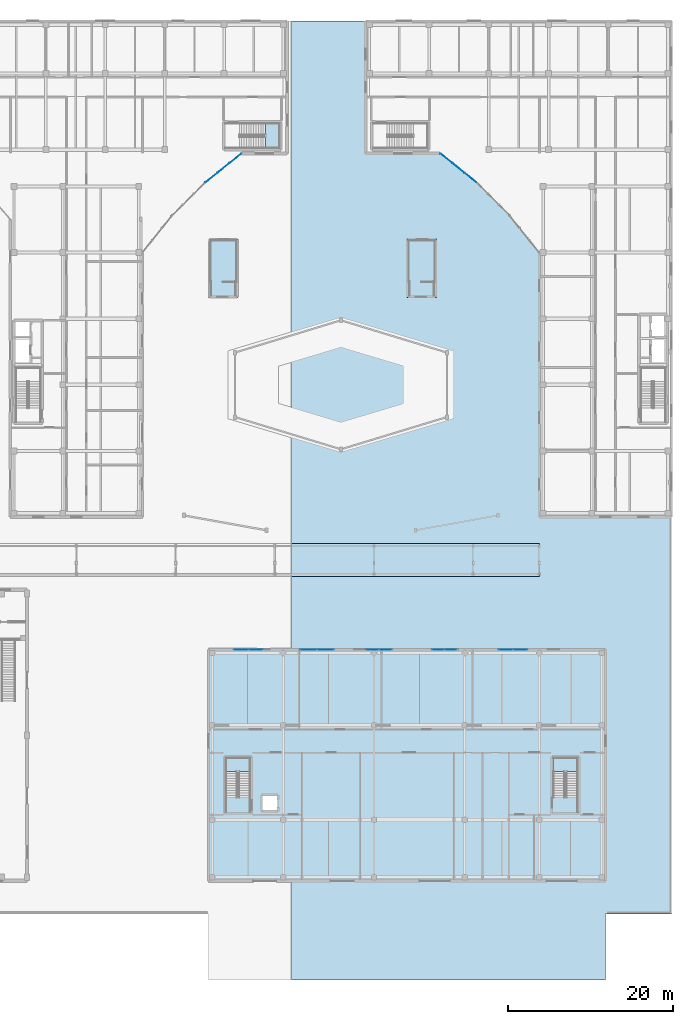
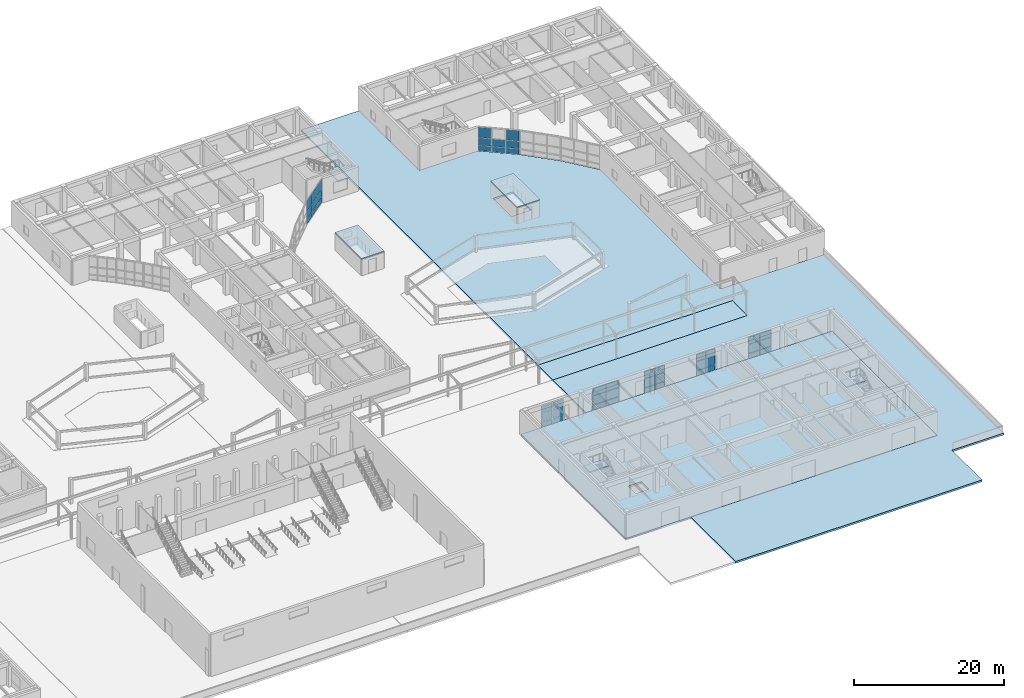
# One storey, part 66 of 114: 47 plates, 8 slabs, 10 elements without a shape of their own.
"""IFC4 building model written with IfcOpenShell, lengths in metres."""

from ifc_helpers import new_model, si_unit, direction, frame, origin, origin_2d, place, context, subcontext, project, spatial, polyline, rectangle, outline, extrude, material, layer, layer_set, type_object, element, aggregate, save


model = new_model("IFC4")

# Units and contexts
model_context = context("Model", 3, precision=1e-05, world=origin(), true_north=direction((0.0, 1.0)))
body_context = subcontext(model_context, "Body", "Model", "MODEL_VIEW")
ifc_project = project(units=[si_unit("LENGTHUNIT", "METRE"), si_unit("AREAUNIT", "SQUARE_METRE"), si_unit("VOLUMEUNIT", "CUBIC_METRE"), si_unit("PLANEANGLEUNIT", "RADIAN"), si_unit("MASSUNIT", "GRAM", prefix="KILO")], contexts=[model_context])

# Site, building, storey
site_placement = place(None, origin())
site = spatial("IfcSite", under=ifc_project, at=site_placement, CompositionType="ELEMENT")
building_placement = place(site_placement, origin())
building = spatial("IfcBuilding", under=site, at=building_placement, Name="Keldmere Railside Commons", CompositionType="ELEMENT")
storey_placement = place(building_placement, origin())
storey = spatial("IfcBuildingStorey", under=building, at=storey_placement, Name="L00", CompositionType="ELEMENT", Elevation=0.0)

# Curtain wall, plates
ifc_material_1 = material(Name="Thermally Broken Aluminium", Category="aluminium")
ifc_layer_1 = layer(ifc_material_1, 0.159912109375, Name="Residential Lounge Frontage CW 4600x3600")
ifc_layer_set_1 = layer_set([ifc_layer_1], Name="Thermally Broken Aluminium")
curtain_wall_type_1 = type_object("IfcCurtainWallType", Name="Residential Lounge Frontage CW 4600x3600", PredefinedType="NOTDEFINED", material=ifc_layer_set_1)
curtain_wall_1_placement = place(storey_placement, origin())
curtain_wall_1 = element("IfcCurtainWall", 1, at=curtain_wall_1_placement, inside=storey, type_object=curtain_wall_type_1, Name="CW-11 CW-L00-157", PredefinedType="NOTDEFINED")
ifc_material_2 = material(Name="Low-E Insulated Double Glazing", Category="glass")
ifc_layer_2 = layer(ifc_material_2, 0.033935546875, Name="Acoustic Laminated Vision Panel 34")
ifc_layer_set_2 = layer_set([ifc_layer_2], Name="Low-E Insulated Double Glazing")
plate_type_1 = type_object("IfcPlateType", Name="Acoustic Laminated Vision Panel 34", PredefinedType="CURTAIN_PANEL", material=ifc_layer_set_2)
plate_1_placement = place(storey_placement, frame((159.678955078125, 97.048583984375, 0.06494140625), z_axis=(0.0, 0.0, 1.0), x_axis=(-0.780009172323, 0.625768080915, 0.0)))
plate_1 = element("IfcPlate", 2, at=plate_1_placement, type_object=plate_type_1, Name="CW-11 panel 1.1", PredefinedType="CURTAIN_PANEL", context=body_context, shape_type="SweptSolid", body=[
    extrude(rectangle(XDim=1.795654296875, YDim=0.033935546875, at=origin_2d()), origin(), (0.0, 0.0, 1.0), 0.802490234375),
])
plate_2_placement = place(storey_placement, frame((159.678955078125, 97.048583984375, 0.932373046875), z_axis=(0.0, 0.0, 1.0), x_axis=(-0.780009172323, 0.625768080915, 0.0)))
plate_2 = element("IfcPlate", 3, at=plate_2_placement, type_object=plate_type_1, Name="CW-11 panel 1.2", PredefinedType="CURTAIN_PANEL", context=body_context, shape_type="SweptSolid", body=[
    extrude(rectangle(XDim=1.795654296875, YDim=0.033935546875, at=origin_2d()), origin(), (0.0, 0.0, 1.0), 1.18505859375),
])
plate_3_placement = place(storey_placement, frame((159.678955078125, 97.048583984375, 2.1826171875), z_axis=(0.0, 0.0, 1.0), x_axis=(-0.780009172323, 0.625768080915, 0.0)))
plate_3 = element("IfcPlate", 4, at=plate_3_placement, type_object=plate_type_1, Name="CW-11 panel 1.3", PredefinedType="CURTAIN_PANEL", context=body_context, shape_type="SweptSolid", body=[
    extrude(rectangle(XDim=1.795654296875, YDim=0.033935546875, at=origin_2d()), origin(), (0.0, 0.0, 1.0), 1.6923828125),
])
plate_4_placement = place(storey_placement, frame((158.215087890625, 98.222900390625, 0.06494140625), z_axis=(0.0, 0.0, 1.0), x_axis=(-0.780009172323, 0.625768080915, 0.0)))
plate_4 = element("IfcPlate", 5, at=plate_4_placement, type_object=plate_type_1, Name="CW-11 panel 2.1", PredefinedType="CURTAIN_PANEL", context=body_context, shape_type="SweptSolid", body=[
    extrude(rectangle(XDim=1.828125, YDim=0.033935546875, at=origin_2d()), origin(), (0.0, 0.0, 1.0), 0.802490234375),
])
plate_5_placement = place(storey_placement, frame((158.215087890625, 98.222900390625, 0.932373046875), z_axis=(0.0, 0.0, 1.0), x_axis=(-0.780009172323, 0.625768080915, 0.0)))
plate_5 = element("IfcPlate", 6, at=plate_5_placement, type_object=plate_type_1, Name="CW-11 panel 2.2", PredefinedType="CURTAIN_PANEL", context=body_context, shape_type="SweptSolid", body=[
    extrude(rectangle(XDim=1.828125, YDim=0.033935546875, at=origin_2d()), origin(), (0.0, 0.0, 1.0), 1.18505859375),
])
plate_6_placement = place(storey_placement, frame((156.7509765625, 99.3974609375, 0.06494140625), z_axis=(0.0, 0.0, 1.0), x_axis=(-0.780009172323, 0.625768080915, 0.0)))
plate_6 = element("IfcPlate", 7, at=plate_6_placement, type_object=plate_type_1, Name="CW-11 panel 3.1", PredefinedType="CURTAIN_PANEL", context=body_context, shape_type="SweptSolid", body=[
    extrude(rectangle(XDim=1.795654296875, YDim=0.033935546875, at=origin_2d()), origin(), (0.0, 0.0, 1.0), 0.802490234375),
])
plate_7_placement = place(storey_placement, frame((156.7509765625, 99.3974609375, 0.932373046875), z_axis=(0.0, 0.0, 1.0), x_axis=(-0.780009172323, 0.625768080915, 0.0)))
plate_7 = element("IfcPlate", 8, at=plate_7_placement, type_object=plate_type_1, Name="CW-11 panel 3.2", PredefinedType="CURTAIN_PANEL", context=body_context, shape_type="SweptSolid", body=[
    extrude(rectangle(XDim=1.795654296875, YDim=0.033935546875, at=origin_2d()), origin(), (0.0, 0.0, 1.0), 1.18505859375),
])
plate_8_placement = place(storey_placement, frame((156.7509765625, 99.3974609375, 2.1826171875), z_axis=(0.0, 0.0, 1.0), x_axis=(-0.780009172323, 0.625768080915, 0.0)))
plate_8 = element("IfcPlate", 9, at=plate_8_placement, type_object=plate_type_1, Name="CW-11 panel 3.3", PredefinedType="CURTAIN_PANEL", context=body_context, shape_type="SweptSolid", body=[
    extrude(rectangle(XDim=1.795654296875, YDim=0.033935546875, at=origin_2d()), origin(), (0.0, 0.0, 1.0), 1.6923828125),
])
aggregate(curtain_wall_1, [plate_1, plate_2, plate_3, plate_4, plate_5, plate_6, plate_7, plate_8])

ifc_layer_3 = layer(ifc_material_1, 0.159912109375, Name="Market Arcade Corner Shopfront CW 4200x3600")
ifc_layer_set_3 = layer_set([ifc_layer_3], Name="Thermally Broken Aluminium")
curtain_wall_type_2 = type_object("IfcCurtainWallType", Name="Market Arcade Corner Shopfront CW 4200x3600", PredefinedType="NOTDEFINED", material=ifc_layer_set_3)
curtain_wall_2_placement = place(storey_placement, origin())
curtain_wall_2 = element("IfcCurtainWall", 10, at=curtain_wall_2_placement, inside=storey, type_object=curtain_wall_type_2, Name="CW-02 CW-L00-214", PredefinedType="NOTDEFINED")
plate_9_placement = place(storey_placement, frame((140.066162109375, 39.949951171875, 0.06494140625), z_axis=(0.0, 0.0, 1.0), x_axis=(1.0, 0.0, 0.0)))
plate_9 = element("IfcPlate", 11, at=plate_9_placement, type_object=plate_type_1, Name="CW-02 panel 1.1", PredefinedType="CURTAIN_PANEL", context=body_context, shape_type="SweptSolid", body=[
    extrude(rectangle(XDim=2.00244140625, YDim=0.033935546875, at=origin_2d()), origin(), (0.0, 0.0, 1.0), 0.802490234375),
])
plate_10_placement = place(storey_placement, frame((140.066162109375, 39.949951171875, 0.932373046875), z_axis=(0.0, 0.0, 1.0), x_axis=(1.0, 0.0, 0.0)))
plate_10 = element("IfcPlate", 12, at=plate_10_placement, type_object=plate_type_1, Name="CW-02 panel 1.2", PredefinedType="CURTAIN_PANEL", context=body_context, shape_type="SweptSolid", body=[
    extrude(rectangle(XDim=2.00244140625, YDim=0.033935546875, at=origin_2d()), origin(), (0.0, 0.0, 1.0), 1.43505859375),
])
plate_11_placement = place(storey_placement, frame((140.066162109375, 39.949951171875, 2.432373046875), z_axis=(0.0, 0.0, 1.0), x_axis=(1.0, 0.0, 0.0)))
plate_11 = element("IfcPlate", 13, at=plate_11_placement, type_object=plate_type_1, Name="CW-02 panel 1.3", PredefinedType="CURTAIN_PANEL", context=body_context, shape_type="SweptSolid", body=[
    extrude(rectangle(XDim=2.00244140625, YDim=0.033935546875, at=origin_2d()), origin(), (0.0, 0.0, 1.0), 1.1025390625),
])
plate_12_placement = place(storey_placement, frame((142.1337890625, 39.949951171875, 0.06494140625), z_axis=(0.0, 0.0, 1.0), x_axis=(1.0, 0.0, 0.0)))
plate_12 = element("IfcPlate", 14, at=plate_12_placement, type_object=plate_type_1, Name="CW-02 panel 2.1", PredefinedType="CURTAIN_PANEL", context=body_context, shape_type="SweptSolid", body=[
    extrude(rectangle(XDim=2.00244140625, YDim=0.033935546875, at=origin_2d()), origin(), (0.0, 0.0, 1.0), 0.802490234375),
])
plate_13_placement = place(storey_placement, frame((142.1337890625, 39.949951171875, 0.932373046875), z_axis=(0.0, 0.0, 1.0), x_axis=(1.0, 0.0, 0.0)))
plate_13 = element("IfcPlate", 15, at=plate_13_placement, type_object=plate_type_1, Name="CW-02 panel 2.2", PredefinedType="CURTAIN_PANEL", context=body_context, shape_type="SweptSolid", body=[
    extrude(rectangle(XDim=2.00244140625, YDim=0.033935546875, at=origin_2d()), origin(), (0.0, 0.0, 1.0), 1.43505859375),
])
plate_14_placement = place(storey_placement, frame((142.1337890625, 39.949951171875, 2.432373046875), z_axis=(0.0, 0.0, 1.0), x_axis=(1.0, 0.0, 0.0)))
plate_14 = element("IfcPlate", 16, at=plate_14_placement, type_object=plate_type_1, Name="CW-02 panel 2.3", PredefinedType="CURTAIN_PANEL", context=body_context, shape_type="SweptSolid", body=[
    extrude(rectangle(XDim=2.00244140625, YDim=0.033935546875, at=origin_2d()), origin(), (0.0, 0.0, 1.0), 1.1025390625),
])
aggregate(curtain_wall_2, [plate_9, plate_10, plate_11, plate_12, plate_13, plate_14])

ifc_layer_4 = layer(ifc_material_1, 0.159912109375, Name="Market Arcade Portal Shopfront CW 3600x3600")
ifc_layer_set_4 = layer_set([ifc_layer_4], Name="Thermally Broken Aluminium")
curtain_wall_type_3 = type_object("IfcCurtainWallType", Name="Market Arcade Portal Shopfront CW 3600x3600", PredefinedType="NOTDEFINED", material=ifc_layer_set_4)
curtain_wall_3_placement = place(storey_placement, origin())
curtain_wall_3 = element("IfcCurtainWall", 17, at=curtain_wall_3_placement, inside=storey, type_object=curtain_wall_type_3, Name="CW-01 CW-L00-217", PredefinedType="NOTDEFINED")
plate_15_placement = place(storey_placement, frame((163.916259765625, 39.949951171875, 0.06494140625), z_axis=(0.0, 0.0, 1.0), x_axis=(1.0, 0.0, 0.0)))
plate_15 = element("IfcPlate", 18, at=plate_15_placement, type_object=plate_type_1, Name="CW-01 panel 1.1", PredefinedType="CURTAIN_PANEL", context=body_context, shape_type="SweptSolid", body=[
    extrude(rectangle(XDim=1.702392578125, YDim=0.033935546875, at=origin_2d()), origin(), (0.0, 0.0, 1.0), 0.802490234375),
])
plate_16_placement = place(storey_placement, frame((163.916259765625, 39.949951171875, 0.932373046875), z_axis=(0.0, 0.0, 1.0), x_axis=(1.0, 0.0, 0.0)))
plate_16 = element("IfcPlate", 19, at=plate_16_placement, type_object=plate_type_1, Name="CW-01 panel 1.2", PredefinedType="CURTAIN_PANEL", context=body_context, shape_type="SweptSolid", body=[
    extrude(rectangle(XDim=1.702392578125, YDim=0.033935546875, at=origin_2d()), origin(), (0.0, 0.0, 1.0), 1.43505859375),
])
plate_17_placement = place(storey_placement, frame((163.916259765625, 39.949951171875, 2.432373046875), z_axis=(0.0, 0.0, 1.0), x_axis=(1.0, 0.0, 0.0)))
plate_17 = element("IfcPlate", 20, at=plate_17_placement, type_object=plate_type_1, Name="CW-01 panel 1.3", PredefinedType="CURTAIN_PANEL", context=body_context, shape_type="SweptSolid", body=[
    extrude(rectangle(XDim=1.702392578125, YDim=0.033935546875, at=origin_2d()), origin(), (0.0, 0.0, 1.0), 1.1025390625),
])
plate_18_placement = place(storey_placement, frame((165.683837890625, 39.949951171875, 0.06494140625), z_axis=(0.0, 0.0, 1.0), x_axis=(1.0, 0.0, 0.0)))
plate_18 = element("IfcPlate", 21, at=plate_18_placement, type_object=plate_type_1, Name="CW-01 panel 2.1", PredefinedType="CURTAIN_PANEL", context=body_context, shape_type="SweptSolid", body=[
    extrude(rectangle(XDim=1.702392578125, YDim=0.033935546875, at=origin_2d()), origin(), (0.0, 0.0, 1.0), 0.802490234375),
])
plate_19_placement = place(storey_placement, frame((165.683837890625, 39.949951171875, 0.932373046875), z_axis=(0.0, 0.0, 1.0), x_axis=(1.0, 0.0, 0.0)))
plate_19 = element("IfcPlate", 22, at=plate_19_placement, type_object=plate_type_1, Name="CW-01 panel 2.2", PredefinedType="CURTAIN_PANEL", context=body_context, shape_type="SweptSolid", body=[
    extrude(rectangle(XDim=1.702392578125, YDim=0.033935546875, at=origin_2d()), origin(), (0.0, 0.0, 1.0), 1.43505859375),
])
plate_20_placement = place(storey_placement, frame((165.683837890625, 39.949951171875, 2.432373046875), z_axis=(0.0, 0.0, 1.0), x_axis=(1.0, 0.0, 0.0)))
plate_20 = element("IfcPlate", 23, at=plate_20_placement, type_object=plate_type_1, Name="CW-01 panel 2.3", PredefinedType="CURTAIN_PANEL", context=body_context, shape_type="SweptSolid", body=[
    extrude(rectangle(XDim=1.702392578125, YDim=0.033935546875, at=origin_2d()), origin(), (0.0, 0.0, 1.0), 1.1025390625),
])
aggregate(curtain_wall_3, [plate_15, plate_16, plate_17, plate_18, plate_19, plate_20])

# Slabs
ifc_material_3 = material(Name="Concrete H-35 (C35/45)", Category="concrete")
ifc_layer_5 = layer(ifc_material_3, 0.14990234375, Name="Canopy & Headhouse Roof Slab 150")
ifc_layer_set_5 = layer_set([ifc_layer_5], Name="Concrete H-35 (C35/45)")
slab_type_1 = type_object("IfcSlabType", Name="Canopy & Headhouse Roof Slab 150", PredefinedType="ROOF", material=ifc_layer_set_5)
slab_1_placement = place(storey_placement, frame((0.0, 0.0, 2.64990234375)))
element("IfcSlab", 24, at=slab_1_placement, inside=storey, type_object=slab_type_1, Name="RT-3 ST-B5 Pavilion Roof", PredefinedType="ROOF", context=body_context, shape_type="SweptSolid", body=[
    extrude(outline(polyline([(128.0, 82.550048828125), (131.550048828125, 82.550048828125), (131.550048828125, 89.64990234375), (128.0, 89.64990234375), (128.0, 82.550048828125)])), origin(), (0.0, 0.0, 1.0), 0.150146484375),
])
slab_2_placement = place(storey_placement, frame((0.0, 0.0, 2.64990234375)))
element("IfcSlab", 25, at=slab_2_placement, inside=storey, type_object=slab_type_1, Name="RT-3 ST-B6 Pavilion Roof", PredefinedType="ROOF", context=body_context, shape_type="SweptSolid", body=[
    extrude(outline(polyline([(152.0, 82.550048828125), (155.550048828125, 82.550048828125), (155.550048828125, 89.64990234375), (152.0, 89.64990234375), (152.0, 82.550048828125)])), origin(), (0.0, 0.0, 1.0), 0.150146484375),
])

# Stair, slab
ifc_material_4 = material(Name="Concrete H-30 (C30/37)", Category="concrete")
stair_type_1 = type_object("IfcStairType", Name="Market Arcade Ground Dogleg Stair 1420", PredefinedType="HALF_TURN_STAIR", material=ifc_material_4)
stair_1_placement = place(storey_placement, origin())
stair_1 = element("IfcStair", 26, at=stair_1_placement, inside=storey, type_object=stair_type_1, Name="L00 Market Arcade Escape Stair ST-M1", PredefinedType="HALF_TURN_STAIR")
ifc_layer_6 = layer(ifc_material_4, 0.2099609375, Name="Civic Stair Landing Slab 210")
ifc_layer_set_6 = layer_set([ifc_layer_6], Name="Concrete H-30 (C30/37)")
slab_type_2 = type_object("IfcSlabType", Name="Civic Stair Landing Slab 210", PredefinedType="LANDING", material=ifc_layer_set_6)
slab_3_placement = place(storey_placement, frame((0.0, 0.0, 1.8798828125)))
slab_3 = element("IfcSlab", 27, at=slab_3_placement, type_object=slab_type_2, Name="ST-M1 landing 1", PredefinedType="LANDING", context=body_context, shape_type="SweptSolid", body=[
    extrude(outline(polyline([(133.050048828125, 25.239990234375), (133.050048828125, 26.89990234375), (130.06005859375, 26.89990234375), (130.06005859375, 25.239990234375), (133.050048828125, 25.239990234375)])), origin(), (0.0, 0.0, 1.0), 0.2001953125),
])
aggregate(stair_1, [slab_3])

stair_2_placement = place(storey_placement, origin())
stair_2 = element("IfcStair", 28, at=stair_2_placement, inside=storey, type_object=stair_type_1, Name="L00 Market Arcade Escape Stair ST-M2", PredefinedType="HALF_TURN_STAIR")
slab_4_placement = place(storey_placement, frame((0.0, 0.0, 1.8798828125)))
slab_4 = element("IfcSlab", 29, at=slab_4_placement, type_object=slab_type_2, Name="ST-M2 landing 1", PredefinedType="LANDING", context=body_context, shape_type="SweptSolid", body=[
    extrude(outline(polyline([(172.64990234375, 25.239990234375), (172.64990234375, 26.89990234375), (169.659912109375, 26.89990234375), (169.659912109375, 25.239990234375), (172.64990234375, 25.239990234375)])), origin(), (0.0, 0.0, 1.0), 0.2001953125),
])
aggregate(stair_2, [slab_4])

# Curtain wall, plates
ifc_layer_7 = layer(ifc_material_1, 0.159912109375, Name="Street Retail Shopfront CW 3200x3600")
ifc_layer_set_7 = layer_set([ifc_layer_7], Name="Thermally Broken Aluminium")
curtain_wall_type_4 = type_object("IfcCurtainWallType", Name="Street Retail Shopfront CW 3200x3600", PredefinedType="NOTDEFINED", material=ifc_layer_set_7)
curtain_wall_4_placement = place(storey_placement, origin())
curtain_wall_4 = element("IfcCurtainWall", 30, at=curtain_wall_4_placement, inside=storey, type_object=curtain_wall_type_4, Name="CW-16 CW-L00-215", PredefinedType="NOTDEFINED")
ifc_layer_8 = layer(ifc_material_2, 0.031982421875, Name="Clerestory Solar-Control Vision Panel 32")
ifc_layer_set_8 = layer_set([ifc_layer_8], Name="Low-E Insulated Double Glazing")
plate_type_2 = type_object("IfcPlateType", Name="Clerestory Solar-Control Vision Panel 32", PredefinedType="CURTAIN_PANEL", material=ifc_layer_set_8)
plate_21_placement = place(storey_placement, frame((147.816162109375, 39.949951171875, 0.06494140625), z_axis=(0.0, 0.0, 1.0), x_axis=(1.0, 0.0, 0.0)))
plate_21 = element("IfcPlate", 31, at=plate_21_placement, type_object=plate_type_2, Name="CW-16 panel 1.1", PredefinedType="CURTAIN_PANEL", context=body_context, shape_type="SweptSolid", body=[
    extrude(rectangle(XDim=1.50244140625, YDim=0.031982421875, at=origin_2d()), origin(), (0.0, 0.0, 1.0), 0.802490234375),
])
plate_22_placement = place(storey_placement, frame((147.816162109375, 39.949951171875, 0.932373046875), z_axis=(0.0, 0.0, 1.0), x_axis=(1.0, 0.0, 0.0)))
plate_22 = element("IfcPlate", 32, at=plate_22_placement, type_object=plate_type_2, Name="CW-16 panel 1.2", PredefinedType="CURTAIN_PANEL", context=body_context, shape_type="SweptSolid", body=[
    extrude(rectangle(XDim=1.50244140625, YDim=0.031982421875, at=origin_2d()), origin(), (0.0, 0.0, 1.0), 1.43505859375),
])
plate_23_placement = place(storey_placement, frame((147.816162109375, 39.949951171875, 2.432373046875), z_axis=(0.0, 0.0, 1.0), x_axis=(1.0, 0.0, 0.0)))
plate_23 = element("IfcPlate", 33, at=plate_23_placement, type_object=plate_type_2, Name="CW-16 panel 1.3", PredefinedType="CURTAIN_PANEL", context=body_context, shape_type="SweptSolid", body=[
    extrude(rectangle(XDim=1.50244140625, YDim=0.031982421875, at=origin_2d()), origin(), (0.0, 0.0, 1.0), 1.1025390625),
])
plate_24_placement = place(storey_placement, frame((149.3837890625, 39.949951171875, 0.06494140625), z_axis=(0.0, 0.0, 1.0), x_axis=(1.0, 0.0, 0.0)))
plate_24 = element("IfcPlate", 34, at=plate_24_placement, type_object=plate_type_2, Name="CW-16 panel 2.1", PredefinedType="CURTAIN_PANEL", context=body_context, shape_type="SweptSolid", body=[
    extrude(rectangle(XDim=1.50244140625, YDim=0.031982421875, at=origin_2d()), origin(), (0.0, 0.0, 1.0), 0.802490234375),
])
plate_25_placement = place(storey_placement, frame((149.3837890625, 39.949951171875, 0.932373046875), z_axis=(0.0, 0.0, 1.0), x_axis=(1.0, 0.0, 0.0)))
plate_25 = element("IfcPlate", 35, at=plate_25_placement, type_object=plate_type_2, Name="CW-16 panel 2.2", PredefinedType="CURTAIN_PANEL", context=body_context, shape_type="SweptSolid", body=[
    extrude(rectangle(XDim=1.50244140625, YDim=0.031982421875, at=origin_2d()), origin(), (0.0, 0.0, 1.0), 1.43505859375),
])
plate_26_placement = place(storey_placement, frame((149.3837890625, 39.949951171875, 2.432373046875), z_axis=(0.0, 0.0, 1.0), x_axis=(1.0, 0.0, 0.0)))
plate_26 = element("IfcPlate", 36, at=plate_26_placement, type_object=plate_type_2, Name="CW-16 panel 2.3", PredefinedType="CURTAIN_PANEL", context=body_context, shape_type="SweptSolid", body=[
    extrude(rectangle(XDim=1.50244140625, YDim=0.031982421875, at=origin_2d()), origin(), (0.0, 0.0, 1.0), 1.1025390625),
])
aggregate(curtain_wall_4, [plate_21, plate_22, plate_23, plate_24, plate_25, plate_26])

# Slab
ifc_layer_9 = layer(ifc_material_3, 0.239990234375, Name="Covered Colonnade Walkway Deck 240")
ifc_layer_set_9 = layer_set([ifc_layer_9], Name="Concrete H-35 (C35/45)")
slab_type_3 = type_object("IfcSlabType", Name="Covered Colonnade Walkway Deck 240", PredefinedType="FLOOR", material=ifc_layer_set_9)
slab_5_placement = place(storey_placement, frame((0.0, 0.0, -0.239990234375)))
element("IfcSlab", 37, at=slab_5_placement, inside=storey, type_object=slab_type_3, Name="PD-2 COLDECK-L00-084", PredefinedType="FLOOR", context=body_context, shape_type="SweptSolid", body=[
    extrude(outline(polyline([(168.0, 52.800048828125), (138.030029296875, 52.800048828125), (138.030029296875, 48.800048828125), (168.0, 48.800048828125), (168.0, 52.800048828125)])), origin(), (0.0, 0.0, 1.0), 0.239990234375),
])

# Stair, slab
stair_type_2 = type_object("IfcStairType", Name="Basement Garage Dogleg Escape Stair 1450", PredefinedType="HALF_TURN_STAIR", material=ifc_material_4)
stair_3_placement = place(storey_placement, origin())
stair_3 = element("IfcStair", 38, at=stair_3_placement, inside=storey, type_object=stair_type_2, Name="L00 Block B Secondary Escape Stair 2", PredefinedType="HALF_TURN_STAIR")
ifc_layer_10 = layer(ifc_material_4, 0.199951171875, Name="Enclosed Stair Landing Slab 200")
ifc_layer_set_10 = layer_set([ifc_layer_10], Name="Concrete H-30 (C30/37)")
slab_type_4 = type_object("IfcSlabType", Name="Enclosed Stair Landing Slab 200", PredefinedType="LANDING", material=ifc_layer_set_10)
slab_6_placement = place(storey_placement, frame((0.0, 0.0, 1.8798828125)))
slab_6 = element("IfcSlab", 39, at=slab_6_placement, type_object=slab_type_4, Name="ST-B2 landing 1", PredefinedType="LANDING", context=body_context, shape_type="SweptSolid", body=[
    extrude(outline(polyline([(134.889892578125, 100.60009765625), (136.60009765625, 100.60009765625), (136.60009765625, 103.64990234375), (134.889892578125, 103.64990234375), (134.889892578125, 100.60009765625)])), origin(), (0.0, 0.0, 1.0), 0.2001953125),
])
aggregate(stair_3, [slab_6])

# Slabs
ifc_layer_11 = layer(ifc_material_3, 0.320068359375, Name="Ground Podium Transfer Slab 320")
ifc_layer_set_11 = layer_set([ifc_layer_11], Name="Concrete H-35 (C35/45)")
slab_type_5 = type_object("IfcSlabType", Name="Ground Podium Transfer Slab 320", PredefinedType="FLOOR", material=ifc_layer_set_11)
slab_7_placement = place(storey_placement, frame((0.0, 0.0, -0.320068359375)))
element("IfcSlab", 40, at=slab_7_placement, inside=storey, type_object=slab_type_5, Name="FS-1 ARC-L00-077", PredefinedType="FLOOR", context=body_context, shape_type="SweptSolid", body=[
    extrude(outline(polyline([(176.0, 12.0), (176.0, 40.0), (128.0, 40.0), (128.0, 12.0), (176.0, 12.0)]), holes=[polyline([(136.39990234375, 20.39990234375), (134.39990234375, 20.39990234375), (134.39990234375, 22.39990234375), (136.39990234375, 22.39990234375), (136.39990234375, 20.39990234375)])]), origin(), (0.0, 0.0, 1.0), 0.320068359375),
])
ifc_layer_12 = layer(ifc_material_3, 0.300048828125, Name="Landscaped Court Deck Slab 300")
ifc_layer_set_12 = layer_set([ifc_layer_12], Name="Concrete H-35 (C35/45)")
slab_type_6 = type_object("IfcSlabType", Name="Landscaped Court Deck Slab 300", PredefinedType="FLOOR", material=ifc_layer_set_12)
slab_8_placement = place(storey_placement, frame((0.0, 0.0, -0.300048828125)))
element("IfcSlab", 41, at=slab_8_placement, inside=storey, type_object=slab_type_6, Name="PD-1 CRTDECK-L00-100", PredefinedType="FLOOR", context=body_context, shape_type="SweptSolid", body=[
    extrude(outline(polyline([(138.030029296875, 0.0), (176.0, 0.0), (176.0, 8.0), (184.0, 8.0), (184.0, 56.0), (168.0, 56.0), (168.0, 88.0), (164.446044921875, 92.429931640625), (160.429931640625, 96.446044921875), (156.0, 100.0), (147.0, 100.0), (147.0, 116.0), (138.030029296875, 116.0), (138.030029296875, 52.800048828125), (168.0, 52.800048828125), (168.0, 48.800048828125), (138.030029296875, 48.800048828125), (138.030029296875, 40.0), (176.0, 40.0), (176.0, 12.0), (138.030029296875, 12.0), (138.030029296875, 0.0)]), holes=[polyline([(155.27490234375, 84.52490234375), (152.27490234375, 84.52490234375), (152.27490234375, 89.375), (155.27490234375, 89.375), (155.27490234375, 84.52490234375)])]), origin(), (0.0, 0.0, 1.0), 0.300048828125),
])

# Curtain wall, plates
ifc_layer_13 = layer(ifc_material_1, 0.159912109375, Name="Residential Ground Entrance Lobby CW 4000x3600")
ifc_layer_set_13 = layer_set([ifc_layer_13], Name="Thermally Broken Aluminium")
curtain_wall_type_5 = type_object("IfcCurtainWallType", Name="Residential Ground Entrance Lobby CW 4000x3600", PredefinedType="NOTDEFINED", material=ifc_layer_set_13)
curtain_wall_5_placement = place(storey_placement, origin())
curtain_wall_5 = element("IfcCurtainWall", 42, at=curtain_wall_5_placement, inside=storey, type_object=curtain_wall_type_5, Name="CW-10 CW-L00-087", PredefinedType="NOTDEFINED")
ifc_layer_14 = layer(ifc_material_2, 0.028076171875, Name="Low-E Vision Glazing Panel 28")
ifc_layer_set_14 = layer_set([ifc_layer_14], Name="Low-E Insulated Double Glazing")
plate_type_3 = type_object("IfcPlateType", Name="Low-E Vision Glazing Panel 28", PredefinedType="CURTAIN_PANEL", material=ifc_layer_set_14)
plate_27_placement = place(storey_placement, frame((131.2490234375, 99.3974609375, 0.06494140625), z_axis=(0.0, 0.0, 1.0), x_axis=(-0.780009172323, -0.625768080915, 0.0)))
plate_27 = element("IfcPlate", 43, at=plate_27_placement, type_object=plate_type_3, Name="CW-10 panel 1.1", PredefinedType="CURTAIN_PANEL", context=body_context, shape_type="SweptSolid", body=[
    extrude(rectangle(XDim=1.795654296875, YDim=0.028076171875, at=origin_2d()), origin(), (0.0, 0.0, 1.0), 0.802490234375),
])
plate_28_placement = place(storey_placement, frame((131.2490234375, 99.3974609375, 0.932373046875), z_axis=(0.0, 0.0, 1.0), x_axis=(-0.780009172323, -0.625768080915, 0.0)))
plate_28 = element("IfcPlate", 44, at=plate_28_placement, type_object=plate_type_3, Name="CW-10 panel 1.2", PredefinedType="CURTAIN_PANEL", context=body_context, shape_type="SweptSolid", body=[
    extrude(rectangle(XDim=1.795654296875, YDim=0.028076171875, at=origin_2d()), origin(), (0.0, 0.0, 1.0), 1.18505859375),
])
plate_29_placement = place(storey_placement, frame((131.2490234375, 99.3974609375, 2.1826171875), z_axis=(0.0, 0.0, 1.0), x_axis=(-0.780009172323, -0.625768080915, 0.0)))
plate_29 = element("IfcPlate", 45, at=plate_29_placement, type_object=plate_type_3, Name="CW-10 panel 1.3", PredefinedType="CURTAIN_PANEL", context=body_context, shape_type="SweptSolid", body=[
    extrude(rectangle(XDim=1.795654296875, YDim=0.028076171875, at=origin_2d()), origin(), (0.0, 0.0, 1.0), 1.6923828125),
])
plate_30_placement = place(storey_placement, frame((129.784912109375, 98.222900390625, 0.06494140625), z_axis=(0.0, 0.0, 1.0), x_axis=(-0.780009172323, -0.625768080915, 0.0)))
plate_30 = element("IfcPlate", 46, at=plate_30_placement, type_object=plate_type_3, Name="CW-10 panel 2.1", PredefinedType="CURTAIN_PANEL", context=body_context, shape_type="SweptSolid", body=[
    extrude(rectangle(XDim=1.828125, YDim=0.028076171875, at=origin_2d()), origin(), (0.0, 0.0, 1.0), 0.802490234375),
])
plate_31_placement = place(storey_placement, frame((129.784912109375, 98.222900390625, 0.932373046875), z_axis=(0.0, 0.0, 1.0), x_axis=(-0.780009172323, -0.625768080915, 0.0)))
plate_31 = element("IfcPlate", 47, at=plate_31_placement, type_object=plate_type_3, Name="CW-10 panel 2.2", PredefinedType="CURTAIN_PANEL", context=body_context, shape_type="SweptSolid", body=[
    extrude(rectangle(XDim=1.828125, YDim=0.028076171875, at=origin_2d()), origin(), (0.0, 0.0, 1.0), 1.18505859375),
])
plate_32_placement = place(storey_placement, frame((129.784912109375, 98.222900390625, 2.1826171875), z_axis=(0.0, 0.0, 1.0), x_axis=(-0.780009172323, -0.625768080915, 0.0)))
plate_32 = element("IfcPlate", 48, at=plate_32_placement, type_object=plate_type_3, Name="CW-10 panel 2.3", PredefinedType="CURTAIN_PANEL", context=body_context, shape_type="SweptSolid", body=[
    extrude(rectangle(XDim=1.828125, YDim=0.028076171875, at=origin_2d()), origin(), (0.0, 0.0, 1.0), 1.6923828125),
])
plate_33_placement = place(storey_placement, frame((128.321044921875, 97.048583984375, 0.06494140625), z_axis=(0.0, 0.0, 1.0), x_axis=(-0.780009172323, -0.625768080915, 0.0)))
plate_33 = element("IfcPlate", 49, at=plate_33_placement, type_object=plate_type_3, Name="CW-10 panel 3.1", PredefinedType="CURTAIN_PANEL", context=body_context, shape_type="SweptSolid", body=[
    extrude(rectangle(XDim=1.795654296875, YDim=0.028076171875, at=origin_2d()), origin(), (0.0, 0.0, 1.0), 0.802490234375),
])
plate_34_placement = place(storey_placement, frame((128.321044921875, 97.048583984375, 0.932373046875), z_axis=(0.0, 0.0, 1.0), x_axis=(-0.780009172323, -0.625768080915, 0.0)))
plate_34 = element("IfcPlate", 50, at=plate_34_placement, type_object=plate_type_3, Name="CW-10 panel 3.2", PredefinedType="CURTAIN_PANEL", context=body_context, shape_type="SweptSolid", body=[
    extrude(rectangle(XDim=1.795654296875, YDim=0.028076171875, at=origin_2d()), origin(), (0.0, 0.0, 1.0), 1.18505859375),
])
plate_35_placement = place(storey_placement, frame((128.321044921875, 97.048583984375, 2.1826171875), z_axis=(0.0, 0.0, 1.0), x_axis=(-0.780009172323, -0.625768080915, 0.0)))
plate_35 = element("IfcPlate", 51, at=plate_35_placement, type_object=plate_type_3, Name="CW-10 panel 3.3", PredefinedType="CURTAIN_PANEL", context=body_context, shape_type="SweptSolid", body=[
    extrude(rectangle(XDim=1.795654296875, YDim=0.028076171875, at=origin_2d()), origin(), (0.0, 0.0, 1.0), 1.6923828125),
])
aggregate(curtain_wall_5, [plate_27, plate_28, plate_29, plate_30, plate_31, plate_32, plate_33, plate_34, plate_35])

curtain_wall_6_placement = place(storey_placement, origin())
curtain_wall_6 = element("IfcCurtainWall", 52, at=curtain_wall_6_placement, inside=storey, type_object=curtain_wall_type_3, Name="CW-01 CW-L00-213", PredefinedType="NOTDEFINED")
plate_36_placement = place(storey_placement, frame((131.916259765625, 39.949951171875, 0.06494140625), z_axis=(0.0, 0.0, 1.0), x_axis=(1.0, 0.0, 0.0)))
plate_36 = element("IfcPlate", 53, at=plate_36_placement, type_object=plate_type_3, Name="CW-01 panel 1.1", PredefinedType="CURTAIN_PANEL", context=body_context, shape_type="SweptSolid", body=[
    extrude(rectangle(XDim=1.702392578125, YDim=0.028076171875, at=origin_2d()), origin(), (0.0, 0.0, 1.0), 0.802490234375),
])
plate_37_placement = place(storey_placement, frame((131.916259765625, 39.949951171875, 0.932373046875), z_axis=(0.0, 0.0, 1.0), x_axis=(1.0, 0.0, 0.0)))
plate_37 = element("IfcPlate", 54, at=plate_37_placement, type_object=plate_type_3, Name="CW-01 panel 1.2", PredefinedType="CURTAIN_PANEL", context=body_context, shape_type="SweptSolid", body=[
    extrude(rectangle(XDim=1.702392578125, YDim=0.028076171875, at=origin_2d()), origin(), (0.0, 0.0, 1.0), 1.43505859375),
])
plate_38_placement = place(storey_placement, frame((131.916259765625, 39.949951171875, 2.432373046875), z_axis=(0.0, 0.0, 1.0), x_axis=(1.0, 0.0, 0.0)))
plate_38 = element("IfcPlate", 55, at=plate_38_placement, type_object=plate_type_3, Name="CW-01 panel 1.3", PredefinedType="CURTAIN_PANEL", context=body_context, shape_type="SweptSolid", body=[
    extrude(rectangle(XDim=1.702392578125, YDim=0.028076171875, at=origin_2d()), origin(), (0.0, 0.0, 1.0), 1.1025390625),
])
plate_39_placement = place(storey_placement, frame((133.683837890625, 39.949951171875, 0.06494140625), z_axis=(0.0, 0.0, 1.0), x_axis=(1.0, 0.0, 0.0)))
plate_39 = element("IfcPlate", 56, at=plate_39_placement, type_object=plate_type_3, Name="CW-01 panel 2.1", PredefinedType="CURTAIN_PANEL", context=body_context, shape_type="SweptSolid", body=[
    extrude(rectangle(XDim=1.702392578125, YDim=0.028076171875, at=origin_2d()), origin(), (0.0, 0.0, 1.0), 0.802490234375),
])
plate_40_placement = place(storey_placement, frame((133.683837890625, 39.949951171875, 0.932373046875), z_axis=(0.0, 0.0, 1.0), x_axis=(1.0, 0.0, 0.0)))
plate_40 = element("IfcPlate", 57, at=plate_40_placement, type_object=plate_type_3, Name="CW-01 panel 2.2", PredefinedType="CURTAIN_PANEL", context=body_context, shape_type="SweptSolid", body=[
    extrude(rectangle(XDim=1.702392578125, YDim=0.028076171875, at=origin_2d()), origin(), (0.0, 0.0, 1.0), 1.43505859375),
])
plate_41_placement = place(storey_placement, frame((133.683837890625, 39.949951171875, 2.432373046875), z_axis=(0.0, 0.0, 1.0), x_axis=(1.0, 0.0, 0.0)))
plate_41 = element("IfcPlate", 58, at=plate_41_placement, type_object=plate_type_3, Name="CW-01 panel 2.3", PredefinedType="CURTAIN_PANEL", context=body_context, shape_type="SweptSolid", body=[
    extrude(rectangle(XDim=1.702392578125, YDim=0.028076171875, at=origin_2d()), origin(), (0.0, 0.0, 1.0), 1.1025390625),
])
aggregate(curtain_wall_6, [plate_36, plate_37, plate_38, plate_39, plate_40, plate_41])

ifc_layer_15 = layer(ifc_material_1, 0.159912109375, Name="Cafe Drum Faceted CW 3000x3600")
ifc_layer_set_15 = layer_set([ifc_layer_15], Name="Thermally Broken Aluminium")
curtain_wall_type_6 = type_object("IfcCurtainWallType", Name="Cafe Drum Faceted CW 3000x3600", PredefinedType="NOTDEFINED", material=ifc_layer_set_15)
curtain_wall_7_placement = place(storey_placement, origin())
curtain_wall_7 = element("IfcCurtainWall", 59, at=curtain_wall_7_placement, inside=storey, type_object=curtain_wall_type_6, Name="CW-17 CW-L00-216", PredefinedType="NOTDEFINED")
plate_42_placement = place(storey_placement, frame((155.766357421875, 39.949951171875, 0.06494140625), z_axis=(0.0, 0.0, 1.0), x_axis=(1.0, 0.0, 0.0)))
plate_42 = element("IfcPlate", 60, at=plate_42_placement, type_object=plate_type_3, Name="CW-17 panel 1.1", PredefinedType="CURTAIN_PANEL", context=body_context, shape_type="SweptSolid", body=[
    extrude(rectangle(XDim=1.402587890625, YDim=0.028076171875, at=origin_2d()), origin(), (0.0, 0.0, 1.0), 0.802490234375),
])
plate_43_placement = place(storey_placement, frame((155.766357421875, 39.949951171875, 0.932373046875), z_axis=(0.0, 0.0, 1.0), x_axis=(1.0, 0.0, 0.0)))
plate_43 = element("IfcPlate", 61, at=plate_43_placement, type_object=plate_type_3, Name="CW-17 panel 1.2", PredefinedType="CURTAIN_PANEL", context=body_context, shape_type="SweptSolid", body=[
    extrude(rectangle(XDim=1.402587890625, YDim=0.028076171875, at=origin_2d()), origin(), (0.0, 0.0, 1.0), 1.43505859375),
])
plate_44_placement = place(storey_placement, frame((155.766357421875, 39.949951171875, 2.432373046875), z_axis=(0.0, 0.0, 1.0), x_axis=(1.0, 0.0, 0.0)))
plate_44 = element("IfcPlate", 62, at=plate_44_placement, type_object=plate_type_3, Name="CW-17 panel 1.3", PredefinedType="CURTAIN_PANEL", context=body_context, shape_type="SweptSolid", body=[
    extrude(rectangle(XDim=1.402587890625, YDim=0.028076171875, at=origin_2d()), origin(), (0.0, 0.0, 1.0), 1.1025390625),
])
plate_45_placement = place(storey_placement, frame((157.233642578125, 39.949951171875, 0.06494140625), z_axis=(0.0, 0.0, 1.0), x_axis=(1.0, 0.0, 0.0)))
plate_45 = element("IfcPlate", 63, at=plate_45_placement, type_object=plate_type_3, Name="CW-17 panel 2.1", PredefinedType="CURTAIN_PANEL", context=body_context, shape_type="SweptSolid", body=[
    extrude(rectangle(XDim=1.402587890625, YDim=0.028076171875, at=origin_2d()), origin(), (0.0, 0.0, 1.0), 0.802490234375),
])
plate_46_placement = place(storey_placement, frame((157.233642578125, 39.949951171875, 0.932373046875), z_axis=(0.0, 0.0, 1.0), x_axis=(1.0, 0.0, 0.0)))
plate_46 = element("IfcPlate", 64, at=plate_46_placement, type_object=plate_type_3, Name="CW-17 panel 2.2", PredefinedType="CURTAIN_PANEL", context=body_context, shape_type="SweptSolid", body=[
    extrude(rectangle(XDim=1.402587890625, YDim=0.028076171875, at=origin_2d()), origin(), (0.0, 0.0, 1.0), 1.43505859375),
])
plate_47_placement = place(storey_placement, frame((157.233642578125, 39.949951171875, 2.432373046875), z_axis=(0.0, 0.0, 1.0), x_axis=(1.0, 0.0, 0.0)))
plate_47 = element("IfcPlate", 65, at=plate_47_placement, type_object=plate_type_3, Name="CW-17 panel 2.3", PredefinedType="CURTAIN_PANEL", context=body_context, shape_type="SweptSolid", body=[
    extrude(rectangle(XDim=1.402587890625, YDim=0.028076171875, at=origin_2d()), origin(), (0.0, 0.0, 1.0), 1.1025390625),
])
aggregate(curtain_wall_7, [plate_42, plate_43, plate_44, plate_45, plate_46, plate_47])

save(model, "model.ifc")
